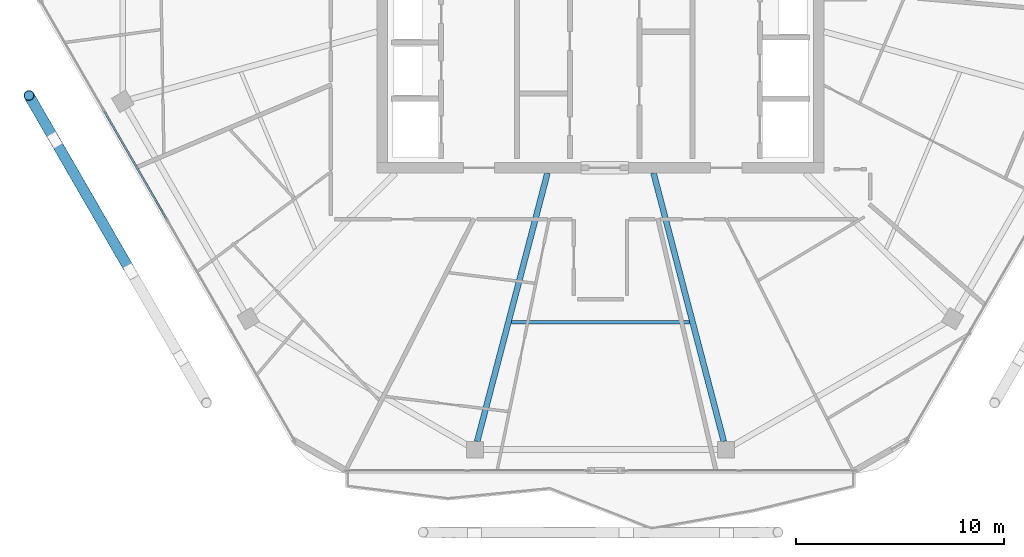
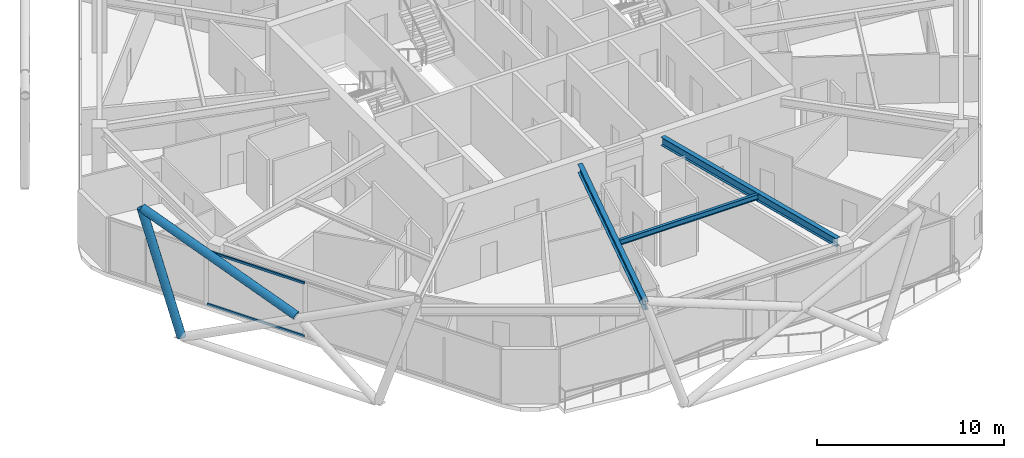
# One storey, part 5 of 23: 4 members, 3 beams, 1 element without a shape of its own.
"""IFC4 building model written with IfcOpenShell, lengths in metres."""

from ifc_helpers import new_model, si_unit, direction, frame, origin, origin_2d, place, context, subcontext, project, spatial, hollow_rectangle, hollow_circle, i_section, extrude, material, material_profile, profile_set, type_object, element, aggregate, save


model = new_model("IFC4")

# Units and contexts
model_context = context("Model", 3, precision=1e-05, world=origin(), true_north=direction((0.0, 1.0)))
body_context = subcontext(model_context, "Body", "Model", "MODEL_VIEW")
ifc_project = project(units=[si_unit("LENGTHUNIT", "METRE"), si_unit("AREAUNIT", "SQUARE_METRE"), si_unit("VOLUMEUNIT", "CUBIC_METRE"), si_unit("PLANEANGLEUNIT", "RADIAN"), si_unit("MASSUNIT", "GRAM", prefix="KILO")], contexts=[model_context])

# Site, building, storey
site_placement = place(None, origin())
site = spatial("IfcSite", under=ifc_project, at=site_placement, CompositionType="ELEMENT")
building_placement = place(site_placement, origin())
building = spatial("IfcBuilding", under=site, at=building_placement, Name="Zuhravey Tower", CompositionType="ELEMENT")
storey_placement = place(building_placement, frame((0.0, 0.0, 323.39990234375)))
storey = spatial("IfcBuildingStorey", under=building, at=storey_placement, Name="L82", CompositionType="ELEMENT", Elevation=323.39990234375)

# Curtain wall, members
ifc_material_1 = material(Name="Thermally broken anodised aluminium", Category="aluminium")
curtain_wall_type = type_object("IfcCurtainWallType", Name="Zone 3-4 High-Rise Curtain Wall CW4", PredefinedType="NOTDEFINED", material=ifc_material_1)
curtain_wall_placement = place(storey_placement, origin())
curtain_wall = element("IfcCurtainWall", 1, at=curtain_wall_placement, inside=storey, type_object=curtain_wall_type, Name="L82 CW4 CW-L82-F4-1", PredefinedType="NOTDEFINED")
ifc_material_2 = material(Name="Anodised aluminium", Category="aluminium")
ifc_material_profile_1 = material_profile(ifc_material_2, hollow_rectangle(XDim=0.090087890625, YDim=0.14990234375, WallThickness=0.0048828125, at=origin_2d()), Name="ALU-RHS-90x150x5")
ifc_profile_set_1 = profile_set([ifc_material_profile_1], Name="Anodised aluminium")
member_type_1 = type_object("IfcMemberType", Name="Curtain-Wall Transom 90x150", PredefinedType="USERDEFINED", material=ifc_profile_set_1)
member_1_placement = place(storey_placement, frame((15.128662109375, 20.001953125, 0.045166015625), z_axis=(-0.499988837749, 0.866031848217, 0.0), x_axis=(-0.866031848217, -0.499988837749, 0.0)))
member_1 = element("IfcMember", 2, at=member_1_placement, type_object=member_type_1, Name="CW4 transom 3.1", ObjectType="TRANSOM", PredefinedType="USERDEFINED", context=body_context, shape_type="SweptSolid", body=[
    extrude(hollow_rectangle(XDim=0.090087890625, YDim=0.14990234375, WallThickness=0.0048828125, at=origin_2d()), origin(), (0.0, 0.0, 1.0), 6.029541015625),
])
member_2_placement = place(storey_placement, frame((15.128662109375, 20.001953125, 3.505126953125), z_axis=(-0.499988837749, 0.866031848217, 0.0), x_axis=(-0.866031848217, -0.499988837749, 0.0)))
member_2 = element("IfcMember", 3, at=member_2_placement, type_object=member_type_1, Name="CW4 transom 3.2", ObjectType="TRANSOM", PredefinedType="USERDEFINED", context=body_context, shape_type="SweptSolid", body=[
    extrude(hollow_rectangle(XDim=0.090087890625, YDim=0.14990234375, WallThickness=0.0048828125, at=origin_2d()), origin(), (0.0, 0.0, 1.0), 6.029541015625),
])
aggregate(curtain_wall, [member_1, member_2])

# Members
ifc_material_3 = material(Name="Steel SM355", Category="steel")
ifc_material_profile_2 = material_profile(ifc_material_3, hollow_circle(Radius=0.25390625, WallThickness=0.02490234375, at=origin_2d()), Name="CHS-508.0x25")
ifc_profile_set_2 = profile_set([ifc_material_profile_2], Name="Steel SM355")
member_type_2 = type_object("IfcMemberType", Name="Exoskeleton Zone 4 Diagrid CHS508x25", PredefinedType="BRACE", material=ifc_profile_set_2)
member_3_placement = place(storey_placement, frame((9.724853515625, 23.842041015625, -0.447998046875), z_axis=(-0.155227725192, 0.268842644559, 0.950593491351), x_axis=(-0.866009569118, -0.500027425445, 0.0)))
element("IfcMember", 4, at=member_3_placement, inside=storey, type_object=member_type_2, Name="L82 Face 4 Diagrid Brace 1", PredefinedType="BRACE", context=body_context, shape_type="SweptSolid", body=[
    extrude(hollow_circle(Radius=0.25390625, WallThickness=0.02490234375, at=origin_2d()), origin(), (0.0, 0.0, 1.0), 7.96142578125),
])
member_4_placement = place(storey_placement, frame((13.267822265625, 17.705078125, 3.42431640625), z_axis=(-0.466120096099, 0.80734608376, 0.36183470957), x_axis=(-0.866026046022, -0.49999888761, 0.0)))
element("IfcMember", 5, at=member_4_placement, inside=storey, type_object=member_type_2, Name="L82 Face 4 Split Diagrid Brace 3B", PredefinedType="BRACE", context=body_context, shape_type="SweptSolid", body=[
    extrude(hollow_circle(Radius=0.25390625, WallThickness=0.02490234375, at=origin_2d()), origin(), (0.0, 0.0, 1.0), 10.223388671875),
])

# Beams
ifc_material_profile_3 = material_profile(ifc_material_3, i_section(OverallWidth=0.280029296875, OverallDepth=0.550048828125, WebThickness=0.010986328125, FlangeThickness=0.01806640625, at=origin_2d()), Name="H-550x280x11x18")
ifc_profile_set_3 = profile_set([ifc_material_profile_3], Name="Steel SM355")
beam_type_1 = type_object("IfcBeamType", Name="Radial Primary Girder H550x280", PredefinedType="BEAM", material=ifc_profile_set_3)
for number, where, z_axis, x_axis, name in (
    (6, (33.446533203125, 22.2470703125, 3.275146484375), (-0.253281197106, -0.967392699576, 0.0), (0.967392699576, -0.253281197106, 0.0), "L82 RG4 BM-L82-RAD-09"),
    (7, (38.553466796875, 22.2470703125, 3.275146484375), (0.253281197106, -0.967392699576, 0.0), (0.967392699576, 0.253281197106, 0.0), "L82 RG4 BM-L82-RAD-10"),
):
    element("IfcBeam", number, at=place(storey_placement, frame(where, z_axis=z_axis, x_axis=x_axis)), inside=storey, type_object=beam_type_1, Name=name, PredefinedType="BEAM", context=body_context, shape_type="SweptSolid", body=[
        extrude(i_section(OverallWidth=0.280029296875, OverallDepth=0.550048828125, WebThickness=0.010986328125, FlangeThickness=0.01806640625, at=origin_2d()), origin(), (0.0, 0.0, 1.0), 13.35693359375),
    ])
ifc_material_profile_4 = material_profile(ifc_material_3, i_section(OverallWidth=0.175048828125, OverallDepth=0.35009765625, WebThickness=0.007080078125, FlangeThickness=0.010986328125, at=origin_2d()), Name="H-350x175x7x11")
ifc_profile_set_4 = profile_set([ifc_material_profile_4], Name="Steel SM355")
beam_type_2 = type_object("IfcBeamType", Name="Secondary Floor Joist H350x175", PredefinedType="JOIST", material=ifc_profile_set_4)
beam_placement = place(storey_placement, frame((31.70849609375, 15.05908203125, 3.375), z_axis=(1.0, 0.0, 0.0), x_axis=(0.0, 1.0, 0.0)))
element("IfcBeam", 8, at=beam_placement, inside=storey, type_object=beam_type_2, Name="L82 SJ3 BM-L82-SJ-09-1", PredefinedType="JOIST", context=body_context, shape_type="SweptSolid", body=[
    extrude(i_section(OverallWidth=0.175048828125, OverallDepth=0.35009765625, WebThickness=0.007080078125, FlangeThickness=0.010986328125, at=origin_2d()), origin(), (0.0, 0.0, 1.0), 8.5830078125),
])

save(model, "model.ifc")
